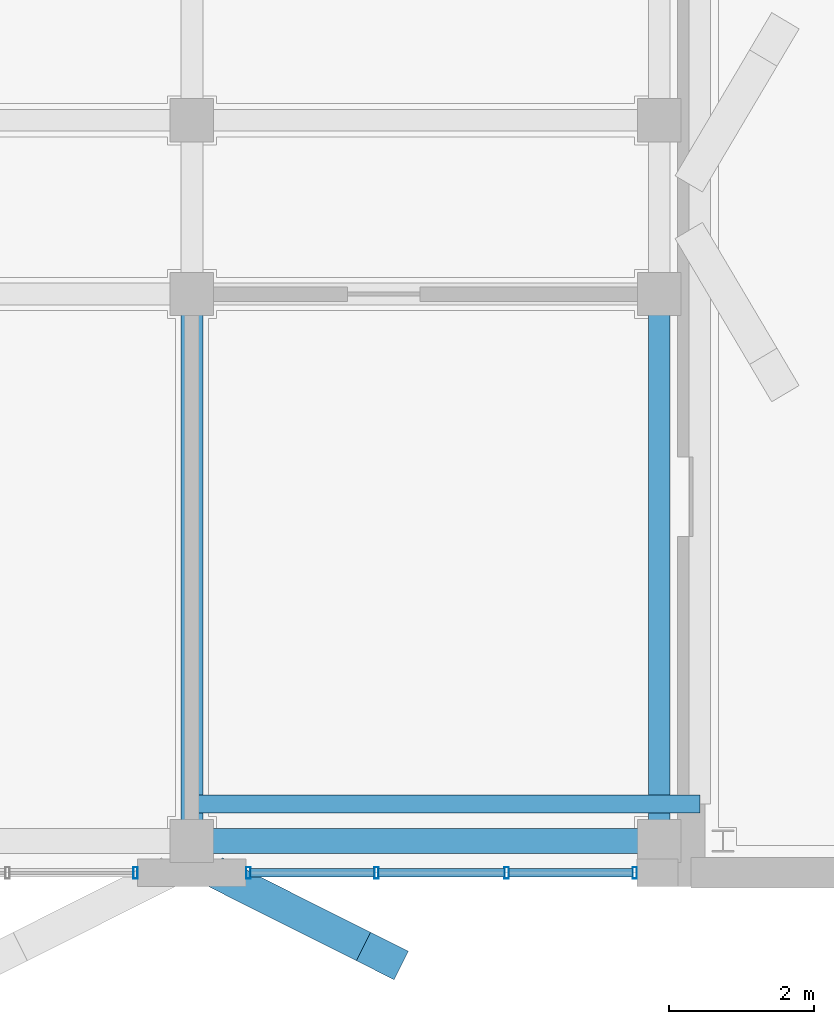
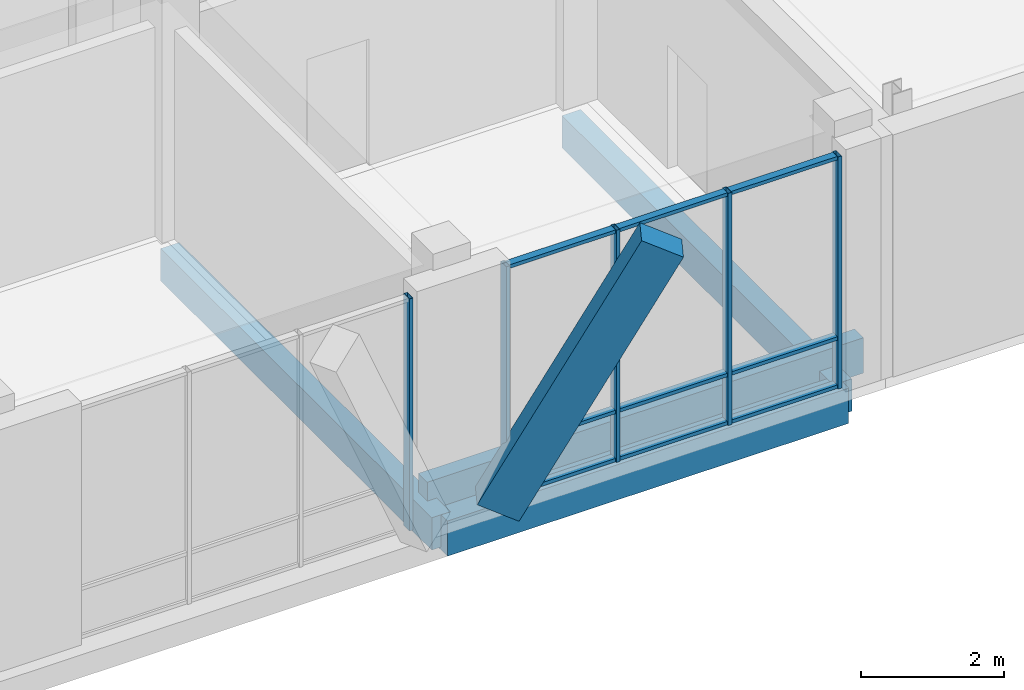
# One storey, part 38 of 233: 15 members, 4 beams, 2 elements without a shape of their own.
"""IFC4 building model written with IfcOpenShell, lengths in metres."""

import ifcopenshell
import ifcopenshell.guid

model = None  # the IFC model being written
_history = None  # IfcOwnerHistory: only IFC2X3 demands one
_inside = {}  # id of a spatial element -> (the spatial element, [elements in it])
_under = {}  # id of a project, library or spatial element -> (it, [spatial elements below it])
_declared = {}  # id of a project -> (the project, [libraries it declares])
_typed = {}  # id of a type object -> (the type object, [elements of that type])
_made_of = {}  # id of a material, layer set ... -> (it, [elements and type objects made of it])


def new_model(schema):
    """Start an empty IFC model of exactly this schema.

    Asked for "IFC4X3", IfcOpenShell would pick the latest addendum, in which some entities
    have other attributes; the version numbers below select the first issue.
    IFC2X3 requires an IfcOwnerHistory on every rooted entity: one is made here for all.
    """
    global model, _history
    if schema == "IFC4X3":
        model = ifcopenshell.file(schema_version=(4, 3, 0, 0))
    else:
        model = ifcopenshell.file(schema=schema)
    _inside.clear()
    _under.clear()
    _declared.clear()
    _typed.clear()
    _made_of.clear()
    _history = None
    if model.schema == "IFC2X3":
        org = make("IfcOrganization", Name="unknown")
        user = make(
            "IfcPersonAndOrganization",
            ThePerson=make("IfcPerson", FamilyName="unknown"),
            TheOrganization=org,
        )
        app = make(
            "IfcApplication",
            ApplicationDeveloper=org,
            Version="unknown",
            ApplicationFullName="unknown",
            ApplicationIdentifier="unknown",
        )
        _history = make(
            "IfcOwnerHistory",
            OwningUser=user,
            OwningApplication=app,
            ChangeAction="ADDED",
            CreationDate=0,
        )
    return model


def make(cls, **values):
    """One entity of the class cls with the attributes given. An attribute that is None is left unset."""
    return model.create_entity(
        cls, **{name: value for name, value in values.items() if value is not None}
    )


def rooted(cls, **values):
    """An entity with a GlobalId (a new one), such as an element, a storey or a relation."""
    return make(cls, GlobalId=ifcopenshell.guid.new(), OwnerHistory=_history, **values)


def si_unit(unit_type, name, prefix=None):
    """IfcSIUnit, for example si_unit("LENGTHUNIT", "METRE", prefix="MILLI")."""
    return make("IfcSIUnit", UnitType=unit_type, Prefix=prefix, Name=name)


def assignment(units):
    """IfcUnitAssignment: the units of a project."""
    return None if units is None else make("IfcUnitAssignment", Units=units)


def point(xyz):
    """IfcCartesianPoint."""
    return None if xyz is None else make("IfcCartesianPoint", Coordinates=xyz)


def direction(xyz):
    """IfcDirection."""
    return None if xyz is None else make("IfcDirection", DirectionRatios=xyz)


def frame(location, z_axis=None, x_axis=None):
    """IfcAxis2Placement3D, a coordinate frame: its origin and axes. An axis left out is left unset."""
    return make(
        "IfcAxis2Placement3D",
        Location=point(location),
        Axis=direction(z_axis),
        RefDirection=direction(x_axis),
    )


def frame_2d(location, x_axis=None):
    """IfcAxis2Placement2D, a coordinate frame in the plane: its origin and x axis."""
    return make(
        "IfcAxis2Placement2D", Location=point(location), RefDirection=direction(x_axis)
    )


def origin():
    """The frame at (0, 0, 0) with its axes left unset."""
    return frame((0.0, 0.0, 0.0))


def origin_2d():
    """The frame at (0, 0) in the plane with its x axis left unset."""
    return frame_2d((0.0, 0.0))


def place(relative_to, where):
    """IfcLocalPlacement: puts the frame where relative to a parent placement (None: the world)."""
    return make(
        "IfcLocalPlacement", PlacementRelTo=relative_to, RelativePlacement=where
    )


def context(
    kind, dimensions, precision=None, world=None, true_north=None, identifier=None
):
    """IfcGeometricRepresentationContext, for example the 3D "Model" context."""
    return make(
        "IfcGeometricRepresentationContext",
        ContextIdentifier=identifier,
        ContextType=kind,
        CoordinateSpaceDimension=dimensions,
        Precision=precision,
        WorldCoordinateSystem=world,
        TrueNorth=true_north,
    )


def subcontext(parent, identifier, kind, view, scale=None):
    """IfcGeometricRepresentationSubContext, for example "Body" below "Model"."""
    return make(
        "IfcGeometricRepresentationSubContext",
        ContextIdentifier=identifier,
        ContextType=kind,
        ParentContext=parent,
        TargetScale=scale,
        TargetView=view,
    )


def project(units=None, contexts=None):
    """IfcProject with its units and contexts."""
    return rooted(
        "IfcProject",
        Name="project",
        RepresentationContexts=contexts,
        UnitsInContext=assignment(units),
    )


def spatial(cls, under=None, at=None, **own):
    """A site, building, storey or space (cls), placed at a placement, below another one or the project."""
    s = rooted(cls, ObjectPlacement=at, **own)
    if under is not None:
        _under.setdefault(under.id(), (under, []))[1].append(s)
    return s


def profile(cls, at=None, kind="AREA", **sizes):
    """A parametric profile (cls). Its sizes go by their IFC names, for example OverallWidth=200.0."""
    return make(cls, ProfileType=kind, Position=at, **sizes)


def rectangle(**sizes):
    """IfcRectangleProfileDef."""
    return profile("IfcRectangleProfileDef", **sizes)


def hollow_rectangle(**sizes):
    """IfcRectangleHollowProfileDef."""
    return profile("IfcRectangleHollowProfileDef", **sizes)


def extrude(swept, where, along, depth):
    """IfcExtrudedAreaSolid: the profile swept, set in the frame where, extruded along a direction by depth."""
    return make(
        "IfcExtrudedAreaSolid",
        SweptArea=swept,
        Position=where,
        ExtrudedDirection=direction(along),
        Depth=depth,
    )


def shape(context_of_items, identifier, shape_type, items):
    """IfcShapeRepresentation: the items that make up one representation, for example the "Body"."""
    return make(
        "IfcShapeRepresentation",
        ContextOfItems=context_of_items,
        RepresentationIdentifier=identifier,
        RepresentationType=shape_type,
        Items=items,
    )


def material(Name=None, Category=None):
    """IfcMaterial."""
    return make("IfcMaterial", Name=Name, Category=Category)


def material_profile(
    of_material, cross_section, Name=None, Category=None, Priority=None
):
    """IfcMaterialProfile: a cross section and its material."""
    return make(
        "IfcMaterialProfile",
        Name=Name,
        Material=of_material,
        Profile=cross_section,
        Priority=Priority,
        Category=Category,
    )


def profile_set(profiles, Name=None, composite=None):
    """IfcMaterialProfileSet."""
    return make(
        "IfcMaterialProfileSet",
        Name=Name,
        MaterialProfiles=profiles,
        CompositeProfile=composite,
    )


def made_of(thing, what):
    """Note that an element or type object is made of a material, layer set ...; save() writes the relation."""
    if what is not None:
        _made_of.setdefault(what.id(), (what, []))[1].append(thing)
    return thing


def type_object(cls, material=None, **own):
    """A type object (cls), such as IfcWallType, which elements share."""
    return made_of(rooted(cls, **own), material)


def element(
    cls,
    number,
    at=None,
    inside=None,
    cuts=None,
    type_object=None,
    material=None,
    context=None,
    identifier="Body",
    shape_type=None,
    held_by="IfcProductDefinitionShape",
    body=None,
    shapes=None,
    **own,
):
    """One element of the class cls, such as IfcWall. Its Tag is "e" and its number.

    at: its placement. inside: the storey or other place that contains it. cuts: it is an
    opening in that element (IfcRelVoidsElement). A single representation is given by context,
    identifier, shape_type and body (its items); several are given by shapes. held_by: the class
    of the entity that holds the representations. save() writes the other relations.
    """
    e = rooted(cls, Tag="e%d" % number, ObjectPlacement=at, **own)
    if body is not None:
        shapes = [shape(context, identifier, shape_type, body)]
    if shapes is not None:
        e.Representation = make(held_by, Representations=shapes)
    if inside is not None:
        _inside.setdefault(inside.id(), (inside, []))[1].append(e)
    if cuts is not None:
        rooted(
            "IfcRelVoidsElement", RelatingBuildingElement=cuts, RelatedOpeningElement=e
        )
    if type_object is not None:
        _typed.setdefault(type_object.id(), (type_object, []))[1].append(e)
    return made_of(e, material)


def aggregate(whole, parts):
    """IfcRelAggregates: a whole, such as a stair, and the parts it consists of."""
    return rooted("IfcRelAggregates", RelatingObject=whole, RelatedObjects=parts)


def save(model, path):
    """Write the relations noted so far, then the file.

    IfcRelAggregates (storeys below a building ...), IfcRelContainedInSpatialStructure (elements
    in a storey), IfcRelDefinesByType, IfcRelAssociatesMaterial and IfcRelDeclares: one each for
    every whole, place, type object, material and project.
    """
    for whole, parts in _under.values():
        aggregate(whole, parts)
    for where, things in _inside.values():
        rooted(
            "IfcRelContainedInSpatialStructure",
            RelatedElements=things,
            RelatingStructure=where,
        )
    for kind, things in _typed.values():
        rooted("IfcRelDefinesByType", RelatedObjects=things, RelatingType=kind)
    for what, things in _made_of.values():
        rooted("IfcRelAssociatesMaterial", RelatedObjects=things, RelatingMaterial=what)
    for by, libraries in _declared.values():
        rooted("IfcRelDeclares", RelatingContext=by, RelatedDefinitions=libraries)
    model.write(path)


model = new_model("IFC4")

# Units and contexts
model_context = context("Model", 3, precision=1e-05, world=origin(), true_north=direction((0.0, 1.0)))
body_context = subcontext(model_context, "Body", "Model", "MODEL_VIEW")
ifc_project = project(units=[si_unit("LENGTHUNIT", "METRE"), si_unit("AREAUNIT", "SQUARE_METRE"), si_unit("VOLUMEUNIT", "CUBIC_METRE"), si_unit("PLANEANGLEUNIT", "RADIAN"), si_unit("MASSUNIT", "GRAM", prefix="KILO")], contexts=[model_context])

# Site, building, storey
site_placement = place(None, origin())
site = spatial("IfcSite", under=ifc_project, at=site_placement, CompositionType="ELEMENT")
building_placement = place(site_placement, origin())
building = spatial("IfcBuilding", under=site, at=building_placement, Name="Zavelmont Quarter", CompositionType="ELEMENT")
storey_placement = place(building_placement, origin())
storey = spatial("IfcBuildingStorey", under=building, at=storey_placement, Name="L00", CompositionType="ELEMENT", Elevation=0.0)

# Beams
ifc_material_1 = material(Name="Concrete C35/45", Category="concrete")
ifc_material_profile_1 = material_profile(ifc_material_1, rectangle(XDim=0.35009765625, YDim=0.60009765625, at=origin_2d()), Name="RC350X600")
ifc_profile_set_1 = profile_set([ifc_material_profile_1], Name="Concrete C35/45")
beam_type_1 = type_object("IfcBeamType", Name="BM01", PredefinedType="SPANDREL", material=ifc_profile_set_1)
beam_1_placement = place(storey_placement, frame((48.300048828125, 0.43994140625, -0.6201171875), z_axis=(1.0, 0.0, 0.0), x_axis=(0.0, 1.0, 0.0)))
element("IfcBeam", 1, at=beam_1_placement, inside=storey, type_object=beam_type_1, Name="L00 beam BM01 8/A to 9/A", PredefinedType="SPANDREL", context=body_context, shape_type="SweptSolid", body=[
    extrude(rectangle(XDim=0.35009765625, YDim=0.60009765625, at=origin_2d()), origin(), (0.0, 0.0, 1.0), 6.4599609375),
])
ifc_material_profile_2 = material_profile(ifc_material_1, rectangle(XDim=0.300048828125, YDim=0.550048828125, at=origin_2d()), Name="RC300X550")
ifc_profile_set_2 = profile_set([ifc_material_profile_2], Name="Concrete C35/45")
beam_type_2 = type_object("IfcBeamType", Name="BM02", PredefinedType="SPANDREL", material=ifc_profile_set_2)
for number, where, z_axis, x_axis, name in (
    (2, (48.300048828125, 0.43994140625, -0.594970703125), (0.0, 1.0, 0.0), (-1.0, 0.0, 0.0), "L00 beam BM02 8/A to 8/B"),
    (3, (54.760009765625, 0.43994140625, -0.594970703125), (0.0, 1.0, 0.0), (-1.0, 0.0, 0.0), "L00 beam BM02 9/A to 9/B"),
):
    element("IfcBeam", number, at=place(storey_placement, frame(where, z_axis=z_axis, x_axis=x_axis)), inside=storey, type_object=beam_type_2, Name=name, PredefinedType="SPANDREL", context=body_context, shape_type="SweptSolid", body=[
        extrude(rectangle(XDim=0.300048828125, YDim=0.550048828125, at=origin_2d()), origin(), (0.0, 0.0, 1.0), 7.56005859375),
    ])
ifc_material_2 = material(Name="Concrete C40/50", Category="concrete")
ifc_material_profile_3 = material_profile(ifc_material_2, rectangle(XDim=0.25, YDim=0.60009765625, at=origin_2d()), Name="RC250X600")
ifc_profile_set_3 = profile_set([ifc_material_profile_3], Name="Concrete C40/50")
beam_type_3 = type_object("IfcBeamType", Name="BM18", PredefinedType="BEAM", material=ifc_profile_set_3)
beam_2_placement = place(storey_placement, frame((48.300048828125, 0.949951171875, -0.300048828125), z_axis=(1.0, 0.0, 0.0), x_axis=(0.0, 1.0, 0.0)))
element("IfcBeam", 4, at=beam_2_placement, inside=storey, type_object=beam_type_3, Name="L00 beam BM18 8/A to 9/A", PredefinedType="BEAM", context=body_context, shape_type="SweptSolid", body=[
    extrude(rectangle(XDim=0.25, YDim=0.60009765625, at=origin_2d()), origin(), (0.0, 0.0, 1.0), 7.02001953125),
])

# Curtain wall, member
ifc_material_3 = material(Name="Thermally broken aluminium and double low-E safety glazing", Category="aluminium")
curtain_wall_type = type_object("IfcCurtainWallType", Name="CW-540X395", PredefinedType="NOTDEFINED", material=ifc_material_3)
curtain_wall_1_placement = place(storey_placement, origin())
curtain_wall_1 = element("IfcCurtainWall", 5, at=curtain_wall_1_placement, inside=storey, type_object=curtain_wall_type, Name="L00 unitised curtain wall CW-540X395", PredefinedType="NOTDEFINED")
ifc_material_4 = material(Name="Powder-coated aluminium EN AW-6063-T6", Category="aluminium")
ifc_material_profile_4 = material_profile(ifc_material_4, hollow_rectangle(XDim=0.06005859375, YDim=0.159912109375, WallThickness=0.00390625, at=origin_2d()), Name="CWM60X160")
ifc_profile_set_4 = profile_set([ifc_material_profile_4], Name="Powder-coated aluminium EN AW-6063-T6")
member_type_1 = type_object("IfcMemberType", Name="CWM01", PredefinedType="MULLION", material=ifc_profile_set_4)
member_1_placement = place(storey_placement, frame((47.52001953125, 0.0, 0.0), z_axis=(0.0, 0.0, 1.0), x_axis=(1.0, 0.0, 0.0)))
member_1 = element("IfcMember", 6, at=member_1_placement, type_object=member_type_1, Name="CW-540X395 mullion 4", PredefinedType="MULLION", context=body_context, shape_type="SweptSolid", body=[
    extrude(hollow_rectangle(XDim=0.06005859375, YDim=0.159912109375, WallThickness=0.00390625, at=origin_2d()), origin(), (0.0, 0.0, 1.0), 3.949951171875),
])
aggregate(curtain_wall_1, [member_1])

# Curtain wall, members
curtain_wall_2_placement = place(storey_placement, origin())
curtain_wall_2 = element("IfcCurtainWall", 7, at=curtain_wall_2_placement, inside=storey, type_object=curtain_wall_type, Name="L00 unitised curtain wall CW-540X395", PredefinedType="NOTDEFINED")
member_2_placement = place(storey_placement, frame((49.080078125, 0.0, 0.0), z_axis=(0.0, 0.0, 1.0), x_axis=(1.0, 0.0, 0.0)))
member_2 = element("IfcMember", 8, at=member_2_placement, type_object=member_type_1, Name="CW-540X395 mullion 1", PredefinedType="MULLION", context=body_context, shape_type="SweptSolid", body=[
    extrude(hollow_rectangle(XDim=0.06005859375, YDim=0.159912109375, WallThickness=0.00390625, at=origin_2d()), origin(), (0.0, 0.0, 1.0), 3.949951171875),
])
member_3_placement = place(storey_placement, frame((50.85009765625, 0.0, 0.0), z_axis=(0.0, 0.0, 1.0), x_axis=(1.0, 0.0, 0.0)))
member_3 = element("IfcMember", 9, at=member_3_placement, type_object=member_type_1, Name="CW-540X395 mullion 2", PredefinedType="MULLION", context=body_context, shape_type="SweptSolid", body=[
    extrude(hollow_rectangle(XDim=0.06005859375, YDim=0.159912109375, WallThickness=0.00390625, at=origin_2d()), origin(), (0.0, 0.0, 1.0), 3.949951171875),
])
member_4_placement = place(storey_placement, frame((52.64990234375, 0.0, 0.0), z_axis=(0.0, 0.0, 1.0), x_axis=(1.0, 0.0, 0.0)))
member_4 = element("IfcMember", 10, at=member_4_placement, type_object=member_type_1, Name="CW-540X395 mullion 3", PredefinedType="MULLION", context=body_context, shape_type="SweptSolid", body=[
    extrude(hollow_rectangle(XDim=0.06005859375, YDim=0.159912109375, WallThickness=0.00390625, at=origin_2d()), origin(), (0.0, 0.0, 1.0), 3.949951171875),
])
member_5_placement = place(storey_placement, frame((54.419921875, 0.0, 0.0), z_axis=(0.0, 0.0, 1.0), x_axis=(1.0, 0.0, 0.0)))
member_5 = element("IfcMember", 11, at=member_5_placement, type_object=member_type_1, Name="CW-540X395 mullion 4", PredefinedType="MULLION", context=body_context, shape_type="SweptSolid", body=[
    extrude(hollow_rectangle(XDim=0.06005859375, YDim=0.159912109375, WallThickness=0.00390625, at=origin_2d()), origin(), (0.0, 0.0, 1.0), 3.949951171875),
])
ifc_material_profile_5 = material_profile(ifc_material_4, hollow_rectangle(XDim=0.1201171875, YDim=0.06005859375, WallThickness=0.00390625, at=origin_2d()), Name="CWT60X120")
ifc_profile_set_5 = profile_set([ifc_material_profile_5], Name="Powder-coated aluminium EN AW-6063-T6")
member_type_2 = type_object("IfcMemberType", Name="CWT01", PredefinedType="NOTDEFINED", material=ifc_profile_set_5)
member_6_placement = place(storey_placement, frame((49.110107421875, 0.0, 0.030029296875), z_axis=(1.0, 0.0, 0.0), x_axis=(0.0, 1.0, 0.0)))
member_6 = element("IfcMember", 12, at=member_6_placement, type_object=member_type_2, Name="CW-540X395 transom 1.1", ObjectType="TRANSOM", PredefinedType="USERDEFINED", context=body_context, shape_type="SweptSolid", body=[
    extrude(hollow_rectangle(XDim=0.1201171875, YDim=0.06005859375, WallThickness=0.00390625, at=origin_2d()), origin(), (0.0, 0.0, 1.0), 1.7099609375),
])
member_7_placement = place(storey_placement, frame((49.110107421875, 0.0, 0.85009765625), z_axis=(1.0, 0.0, 0.0), x_axis=(0.0, 1.0, 0.0)))
member_7 = element("IfcMember", 13, at=member_7_placement, type_object=member_type_2, Name="CW-540X395 transom 1.2", ObjectType="TRANSOM", PredefinedType="USERDEFINED", context=body_context, shape_type="SweptSolid", body=[
    extrude(hollow_rectangle(XDim=0.1201171875, YDim=0.06005859375, WallThickness=0.00390625, at=origin_2d()), origin(), (0.0, 0.0, 1.0), 1.7099609375),
])
member_8_placement = place(storey_placement, frame((49.110107421875, 0.0, 3.919921875), z_axis=(1.0, 0.0, 0.0), x_axis=(0.0, 1.0, 0.0)))
member_8 = element("IfcMember", 14, at=member_8_placement, type_object=member_type_2, Name="CW-540X395 transom 1.3", ObjectType="TRANSOM", PredefinedType="USERDEFINED", context=body_context, shape_type="SweptSolid", body=[
    extrude(hollow_rectangle(XDim=0.1201171875, YDim=0.06005859375, WallThickness=0.00390625, at=origin_2d()), origin(), (0.0, 0.0, 1.0), 1.7099609375),
])
member_9_placement = place(storey_placement, frame((50.8798828125, 0.0, 0.030029296875), z_axis=(1.0, 0.0, 0.0), x_axis=(0.0, 1.0, 0.0)))
member_9 = element("IfcMember", 15, at=member_9_placement, type_object=member_type_2, Name="CW-540X395 transom 2.1", ObjectType="TRANSOM", PredefinedType="USERDEFINED", context=body_context, shape_type="SweptSolid", body=[
    extrude(hollow_rectangle(XDim=0.1201171875, YDim=0.06005859375, WallThickness=0.00390625, at=origin_2d()), origin(), (0.0, 0.0, 1.0), 1.740234375),
])
member_10_placement = place(storey_placement, frame((50.8798828125, 0.0, 0.85009765625), z_axis=(1.0, 0.0, 0.0), x_axis=(0.0, 1.0, 0.0)))
member_10 = element("IfcMember", 16, at=member_10_placement, type_object=member_type_2, Name="CW-540X395 transom 2.2", ObjectType="TRANSOM", PredefinedType="USERDEFINED", context=body_context, shape_type="SweptSolid", body=[
    extrude(hollow_rectangle(XDim=0.1201171875, YDim=0.06005859375, WallThickness=0.00390625, at=origin_2d()), origin(), (0.0, 0.0, 1.0), 1.740234375),
])
member_11_placement = place(storey_placement, frame((50.8798828125, 0.0, 3.919921875), z_axis=(1.0, 0.0, 0.0), x_axis=(0.0, 1.0, 0.0)))
member_11 = element("IfcMember", 17, at=member_11_placement, type_object=member_type_2, Name="CW-540X395 transom 2.3", ObjectType="TRANSOM", PredefinedType="USERDEFINED", context=body_context, shape_type="SweptSolid", body=[
    extrude(hollow_rectangle(XDim=0.1201171875, YDim=0.06005859375, WallThickness=0.00390625, at=origin_2d()), origin(), (0.0, 0.0, 1.0), 1.740234375),
])
member_12_placement = place(storey_placement, frame((52.679931640625, 0.0, 0.030029296875), z_axis=(1.0, 0.0, 0.0), x_axis=(0.0, 1.0, 0.0)))
member_12 = element("IfcMember", 18, at=member_12_placement, type_object=member_type_2, Name="CW-540X395 transom 3.1", ObjectType="TRANSOM", PredefinedType="USERDEFINED", context=body_context, shape_type="SweptSolid", body=[
    extrude(hollow_rectangle(XDim=0.1201171875, YDim=0.06005859375, WallThickness=0.00390625, at=origin_2d()), origin(), (0.0, 0.0, 1.0), 1.7099609375),
])
member_13_placement = place(storey_placement, frame((52.679931640625, 0.0, 0.85009765625), z_axis=(1.0, 0.0, 0.0), x_axis=(0.0, 1.0, 0.0)))
member_13 = element("IfcMember", 19, at=member_13_placement, type_object=member_type_2, Name="CW-540X395 transom 3.2", ObjectType="TRANSOM", PredefinedType="USERDEFINED", context=body_context, shape_type="SweptSolid", body=[
    extrude(hollow_rectangle(XDim=0.1201171875, YDim=0.06005859375, WallThickness=0.00390625, at=origin_2d()), origin(), (0.0, 0.0, 1.0), 1.7099609375),
])
member_14_placement = place(storey_placement, frame((52.679931640625, 0.0, 3.919921875), z_axis=(1.0, 0.0, 0.0), x_axis=(0.0, 1.0, 0.0)))
member_14 = element("IfcMember", 20, at=member_14_placement, type_object=member_type_2, Name="CW-540X395 transom 3.3", ObjectType="TRANSOM", PredefinedType="USERDEFINED", context=body_context, shape_type="SweptSolid", body=[
    extrude(hollow_rectangle(XDim=0.1201171875, YDim=0.06005859375, WallThickness=0.00390625, at=origin_2d()), origin(), (0.0, 0.0, 1.0), 1.7099609375),
])
aggregate(curtain_wall_2, [member_2, member_3, member_4, member_5, member_6, member_7, member_8, member_9, member_10, member_11, member_12, member_13, member_14])

# Member
ifc_material_5 = material(Name="White architectural precast concrete C40/50", Category="concrete")
ifc_material_profile_6 = material_profile(ifc_material_5, rectangle(XDim=0.43994140625, YDim=0.659912109375, at=origin_2d()), Name="PCR320X480")
ifc_profile_set_6 = profile_set([ifc_material_profile_6], Name="White architectural precast concrete C40/50")
member_type_3 = type_object("IfcMemberType", Name="VR01M", PredefinedType="CHORD", material=ifc_profile_set_6)
member_15_placement = place(storey_placement, frame((48.8798828125, -0.1201171875, 0.0), z_axis=(0.413591220737, -0.207484273201, 0.88650582542), x_axis=(0.448403840089, 0.893831078109, 0.0)))
element("IfcMember", 21, at=member_15_placement, inside=storey, type_object=member_type_3, Name="L00 member VR01M 8/A to 8/A", PredefinedType="CHORD", context=body_context, shape_type="SweptSolid", body=[
    extrude(rectangle(XDim=0.43994140625, YDim=0.659912109375, at=origin_2d()), origin(), (0.0, 0.0, 1.0), 4.963134765625),
])

save(model, "model.ifc")
